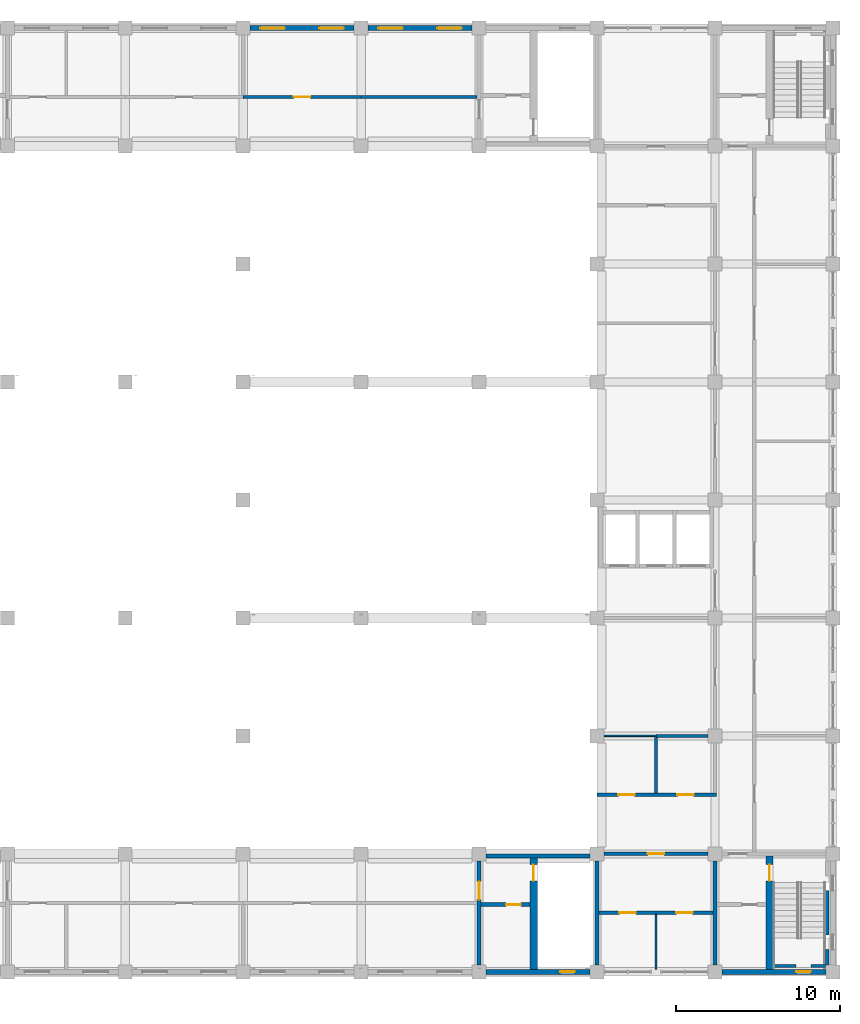
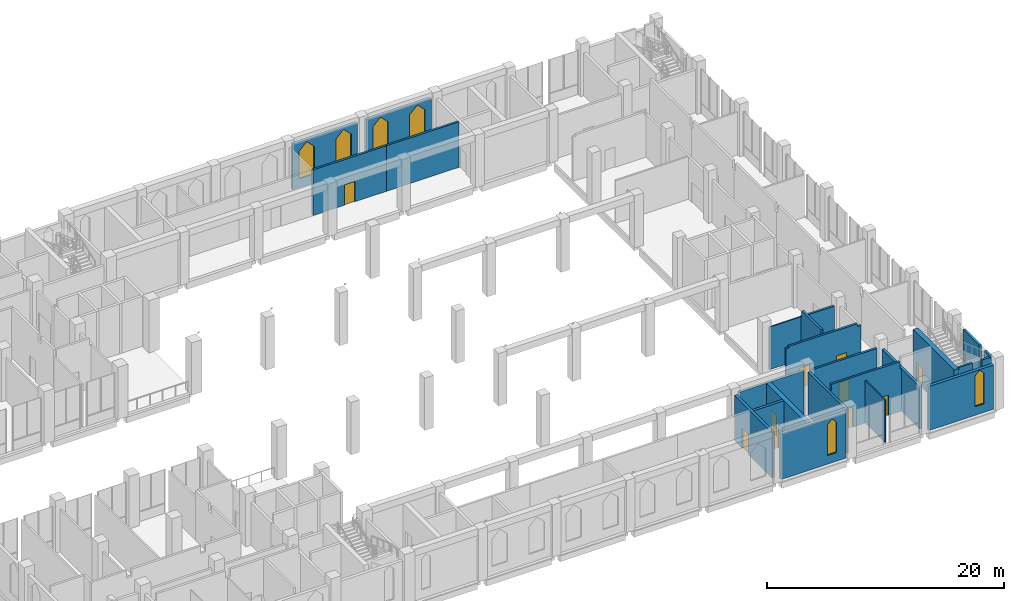
# One storey, part 33 of 48: 24 walls, 10 doors, 6 windows, 16 openings.
"""IFC4 building model written with IfcOpenShell, lengths in metres."""

from ifc_helpers import new_model, si_unit, direction, frame, frame_2d, origin, place, context, subcontext, project, spatial, polyline, rectangle, outline, extrude, material, layer, layer_set, type_object, element, fill, save


model = new_model("IFC4")

# Units and contexts
model_context = context("Model", 3, precision=1e-05, world=origin(), true_north=direction((0.0, 1.0)))
body_context = subcontext(model_context, "Body", "Model", "MODEL_VIEW")
ifc_project = project(units=[si_unit("LENGTHUNIT", "METRE"), si_unit("AREAUNIT", "SQUARE_METRE"), si_unit("VOLUMEUNIT", "CUBIC_METRE"), si_unit("PLANEANGLEUNIT", "RADIAN"), si_unit("MASSUNIT", "GRAM", prefix="KILO")], contexts=[model_context])

# Site, building, storey
site_placement = place(None, origin())
site = spatial("IfcSite", under=ifc_project, at=site_placement, CompositionType="ELEMENT")
building_placement = place(site_placement, origin())
building = spatial("IfcBuilding", under=site, at=building_placement, Name="Silangan Lancet Faculty of Sciences", CompositionType="ELEMENT")
storey_placement = place(building_placement, frame((0.0, 0.0, 6.0)))
storey = spatial("IfcBuildingStorey", under=building, at=storey_placement, Name="L01", CompositionType="ELEMENT", Elevation=6.0)

# Wall, opening, window
ifc_material_1 = material(Name="Concrete C40/50 precast", Category="concrete")
ifc_layer_1 = layer(ifc_material_1, 0.300048828125)
ifc_layer_set_1 = layer_set([ifc_layer_1], Name="Concrete C40/50 precast")
wall_type_1 = type_object("IfcWallType", Name="EW2 Turret enclosure wall", PredefinedType="STANDARD", material=ifc_layer_set_1)
wall_1_placement = place(storey_placement, frame((65.22509765625, 0.0, 0.0), z_axis=(0.0, 0.0, 1.0), x_axis=(1.0, 0.0, 0.0)))
wall_1 = element("IfcWall", 1, at=wall_1_placement, inside=storey, type_object=wall_type_1, Name="EW-L01-S-SAB-05", PredefinedType="STANDARD", context=body_context, shape_type="SweptSolid", body=[
    extrude(rectangle(XDim=6.349853515625, YDim=0.300048828125, at=frame_2d((3.1748046875, 0.0))), origin(), (0.0, 0.0, 1.0), 4.699951171875),
])
opening_1_placement = place(wall_1_placement, frame((4.52490234375, 0.0, 0.89990234375)))
opening_1 = element("IfcOpeningElement", 2, at=opening_1_placement, cuts=wall_1, Name="Opening W5", PredefinedType="OPENING", context=body_context, shape_type="SweptSolid", body=[
    extrude(outline(polyline([(0.0, 0.0), (0.89990234375, 0.0), (0.89990234375, 3.150146484375), (0.449951171875, 3.60009765625), (0.0, 3.150146484375), (0.0, 0.0)])), frame((0.0, 0.159912109375, 0.0), z_axis=(0.0, -1.0, 0.0), x_axis=(1.0, 0.0, 0.0)), (0.0, 0.0, 1.0), 0.320068359375),
])
ifc_material_2 = material(Name="Aluminium frame, laminated double glazing", Category="aluminium")
window_type_1 = type_object("IfcWindowType", Name="W5 Lancet window 900 x 3600", PartitioningType="SINGLE_PANEL", PredefinedType="WINDOW", material=ifc_material_2)
window_1_placement = place(opening_1_placement, origin())
window_1 = element("IfcWindow", 3, at=window_1_placement, inside=storey, type_object=window_type_1, Name="WIN-L01-S-SAB-05b", OverallHeight=3.60009765625, OverallWidth=0.89990234375, PartitioningType="SINGLE_PANEL", PredefinedType="WINDOW", context=body_context, shape_type="SweptSolid", body=[
    extrude(outline(polyline([(0.0, 0.0), (0.89990234375, 0.0), (0.89990234375, 3.150146484375), (0.449951171875, 3.60009765625), (0.0, 3.150146484375), (0.0, 0.0)])), frame((0.0, 0.030029296875, 0.0), z_axis=(0.0, -1.0, 0.0), x_axis=(1.0, 0.0, 0.0)), (0.0, 0.0, 1.0), 0.06005859375),
])
fill(opening_1, window_1)

wall_2_placement = place(storey_placement, frame((79.625, 0.0, 0.0), z_axis=(0.0, 0.0, 1.0), x_axis=(1.0, 0.0, 0.0)))
wall_2 = element("IfcWall", 4, at=wall_2_placement, inside=storey, type_object=wall_type_1, Name="EW-L01-S-EB-01", PredefinedType="STANDARD", context=body_context, shape_type="SweptSolid", body=[
    extrude(rectangle(XDim=6.35009765625, YDim=0.300048828125, at=frame_2d((3.175048828125, 0.0))), origin(), (0.0, 0.0, 1.0), 4.550048828125),
])
opening_2_placement = place(wall_2_placement, frame((4.52490234375, 0.0, 0.89990234375)))
opening_2 = element("IfcOpeningElement", 5, at=opening_2_placement, cuts=wall_2, Name="Opening W5", PredefinedType="OPENING", context=body_context, shape_type="SweptSolid", body=[
    extrude(outline(polyline([(0.0, 0.0), (0.89990234375, 0.0), (0.89990234375, 3.150146484375), (0.449951171875, 3.60009765625), (0.0, 3.150146484375), (0.0, 0.0)])), frame((0.0, 0.159912109375, 0.0), z_axis=(0.0, -1.0, 0.0), x_axis=(1.0, 0.0, 0.0)), (0.0, 0.0, 1.0), 0.320068359375),
])
window_2_placement = place(opening_2_placement, origin())
window_2 = element("IfcWindow", 6, at=window_2_placement, inside=storey, type_object=window_type_1, Name="WIN-L01-S-EB-01b", OverallHeight=3.60009765625, OverallWidth=0.89990234375, PartitioningType="SINGLE_PANEL", PredefinedType="WINDOW", context=body_context, shape_type="SweptSolid", body=[
    extrude(outline(polyline([(0.0, 0.0), (0.89990234375, 0.0), (0.89990234375, 3.150146484375), (0.449951171875, 3.60009765625), (0.0, 3.150146484375), (0.0, 0.0)])), frame((0.0, 0.030029296875, 0.0), z_axis=(0.0, -1.0, 0.0), x_axis=(1.0, 0.0, 0.0)), (0.0, 0.0, 1.0), 0.06005859375),
])
fill(opening_2, window_2)

# Wall, openings, windows
ifc_material_3 = material(Name="Concrete C40/50", Category="concrete")
ifc_layer_2 = layer(ifc_material_3, 0.300048828125)
ifc_layer_set_2 = layer_set([ifc_layer_2], Name="Concrete C40/50")
wall_type_2 = type_object("IfcWallType", Name="EW6 Stone-faced base wall", PredefinedType="STANDARD", material=ifc_layer_set_2)
wall_3_placement = place(storey_placement, frame((64.375, 57.60009765625, 0.0), z_axis=(0.0, 0.0, 1.0), x_axis=(-1.0, 0.0, 0.0)))
wall_3 = element("IfcWall", 7, at=wall_3_placement, inside=storey, type_object=wall_type_2, Name="EW-L01-N-NAB-01", PredefinedType="STANDARD", context=body_context, shape_type="SweptSolid", body=[
    extrude(rectangle(XDim=6.35009765625, YDim=0.300048828125, at=frame_2d((3.175048828125, 0.0))), origin(), (0.0, 0.0, 1.0), 4.699951171875),
])
opening_3_placement = place(wall_3_placement, frame((0.625, 0.0, 0.89990234375)))
opening_3 = element("IfcOpeningElement", 8, at=opening_3_placement, cuts=wall_3, Name="Opening W6", PredefinedType="OPENING", context=body_context, shape_type="SweptSolid", body=[
    extrude(outline(polyline([(0.0, 0.0), (1.5, 0.0), (1.5, 2.85009765625), (0.75, 3.60009765625), (0.0, 2.85009765625), (0.0, 0.0)])), frame((0.0, 0.159912109375, 0.0), z_axis=(0.0, -1.0, 0.0), x_axis=(1.0, 0.0, 0.0)), (0.0, 0.0, 1.0), 0.320068359375),
])
opening_4_placement = place(wall_3_placement, frame((4.22509765625, 0.0, 0.89990234375)))
opening_4 = element("IfcOpeningElement", 9, at=opening_4_placement, cuts=wall_3, Name="Opening W6", PredefinedType="OPENING", context=body_context, shape_type="SweptSolid", body=[
    extrude(outline(polyline([(0.0, 0.0), (1.5, 0.0), (1.5, 2.85009765625), (0.75, 3.60009765625), (0.0, 2.85009765625), (0.0, 0.0)])), frame((0.0, 0.159912109375, 0.0), z_axis=(0.0, -1.0, 0.0), x_axis=(1.0, 0.0, 0.0)), (0.0, 0.0, 1.0), 0.320068359375),
])
ifc_material_4 = material(Name="Aluminium frame, laminated double glazing", Category="aluminium")
window_type_2 = type_object("IfcWindowType", Name="W6 Lancet window 1500 x 3600", PartitioningType="SINGLE_PANEL", PredefinedType="WINDOW", material=ifc_material_4)
window_3_placement = place(opening_3_placement, origin())
window_3 = element("IfcWindow", 10, at=window_3_placement, inside=storey, type_object=window_type_2, Name="WIN-L01-N-NAB-01a", OverallHeight=3.60009765625, OverallWidth=1.5, PartitioningType="SINGLE_PANEL", PredefinedType="WINDOW", context=body_context, shape_type="SweptSolid", body=[
    extrude(outline(polyline([(0.0, 0.0), (1.5, 0.0), (1.5, 2.85009765625), (0.75, 3.60009765625), (0.0, 2.85009765625), (0.0, 0.0)])), frame((0.0, 0.030029296875, 0.0), z_axis=(0.0, -1.0, 0.0), x_axis=(1.0, 0.0, 0.0)), (0.0, 0.0, 1.0), 0.06005859375),
])
fill(opening_3, window_3)
window_4_placement = place(opening_4_placement, origin())
window_4 = element("IfcWindow", 11, at=window_4_placement, inside=storey, type_object=window_type_2, Name="WIN-L01-N-NAB-01b", OverallHeight=3.60009765625, OverallWidth=1.5, PartitioningType="SINGLE_PANEL", PredefinedType="WINDOW", context=body_context, shape_type="SweptSolid", body=[
    extrude(outline(polyline([(0.0, 0.0), (1.5, 0.0), (1.5, 2.85009765625), (0.75, 3.60009765625), (0.0, 2.85009765625), (0.0, 0.0)])), frame((0.0, 0.030029296875, 0.0), z_axis=(0.0, -1.0, 0.0), x_axis=(1.0, 0.0, 0.0)), (0.0, 0.0, 1.0), 0.06005859375),
])
fill(opening_4, window_4)

wall_4_placement = place(storey_placement, frame((57.175048828125, 57.60009765625, 0.0), z_axis=(0.0, 0.0, 1.0), x_axis=(-1.0, 0.0, 0.0)))
wall_4 = element("IfcWall", 12, at=wall_4_placement, inside=storey, type_object=wall_type_2, Name="EW-L01-N-NAB-02", PredefinedType="STANDARD", context=body_context, shape_type="SweptSolid", body=[
    extrude(rectangle(XDim=6.35009765625, YDim=0.300048828125, at=frame_2d((3.175048828125, 0.0))), origin(), (0.0, 0.0, 1.0), 4.699951171875),
])
opening_5_placement = place(wall_4_placement, frame((0.625, 0.0, 0.89990234375)))
opening_5 = element("IfcOpeningElement", 13, at=opening_5_placement, cuts=wall_4, Name="Opening W6", PredefinedType="OPENING", context=body_context, shape_type="SweptSolid", body=[
    extrude(outline(polyline([(0.0, 0.0), (1.5, 0.0), (1.5, 2.85009765625), (0.75, 3.60009765625), (0.0, 2.85009765625), (0.0, 0.0)])), frame((0.0, 0.159912109375, 0.0), z_axis=(0.0, -1.0, 0.0), x_axis=(1.0, 0.0, 0.0)), (0.0, 0.0, 1.0), 0.320068359375),
])
opening_6_placement = place(wall_4_placement, frame((4.22509765625, 0.0, 0.89990234375)))
opening_6 = element("IfcOpeningElement", 14, at=opening_6_placement, cuts=wall_4, Name="Opening W6", PredefinedType="OPENING", context=body_context, shape_type="SweptSolid", body=[
    extrude(outline(polyline([(0.0, 0.0), (1.5, 0.0), (1.5, 2.85009765625), (0.75, 3.60009765625), (0.0, 2.85009765625), (0.0, 0.0)])), frame((0.0, 0.159912109375, 0.0), z_axis=(0.0, -1.0, 0.0), x_axis=(1.0, 0.0, 0.0)), (0.0, 0.0, 1.0), 0.320068359375),
])
window_5_placement = place(opening_5_placement, origin())
window_5 = element("IfcWindow", 15, at=window_5_placement, inside=storey, type_object=window_type_2, Name="WIN-L01-N-NAB-02a", OverallHeight=3.60009765625, OverallWidth=1.5, PartitioningType="SINGLE_PANEL", PredefinedType="WINDOW", context=body_context, shape_type="SweptSolid", body=[
    extrude(outline(polyline([(0.0, 0.0), (1.5, 0.0), (1.5, 2.85009765625), (0.75, 3.60009765625), (0.0, 2.85009765625), (0.0, 0.0)])), frame((0.0, 0.030029296875, 0.0), z_axis=(0.0, -1.0, 0.0), x_axis=(1.0, 0.0, 0.0)), (0.0, 0.0, 1.0), 0.06005859375),
])
fill(opening_5, window_5)
window_6_placement = place(opening_6_placement, origin())
window_6 = element("IfcWindow", 16, at=window_6_placement, inside=storey, type_object=window_type_2, Name="WIN-L01-N-NAB-02b", OverallHeight=3.60009765625, OverallWidth=1.5, PartitioningType="SINGLE_PANEL", PredefinedType="WINDOW", context=body_context, shape_type="SweptSolid", body=[
    extrude(outline(polyline([(0.0, 0.0), (1.5, 0.0), (1.5, 2.85009765625), (0.75, 3.60009765625), (0.0, 2.85009765625), (0.0, 0.0)])), frame((0.0, 0.030029296875, 0.0), z_axis=(0.0, -1.0, 0.0), x_axis=(1.0, 0.0, 0.0)), (0.0, 0.0, 1.0), 0.06005859375),
])
fill(opening_6, window_6)

# Wall, openings, doors
ifc_material_5 = material(Name="Hollow block masonry fm 7 MPa", Category="masonry")
ifc_layer_3 = layer(ifc_material_5, 0.199951171875)
ifc_layer_set_3 = layer_set([ifc_layer_3], Name="Hollow block masonry fm 7 MPa")
wall_type_3 = type_object("IfcWallType", Name="Interior wall PW1 Corridor wall CHB 200", PredefinedType="PARTITIONING", material=ifc_layer_set_3)
wall_5_placement = place(storey_placement, frame((72.125, 3.60009765625, 0.0), z_axis=(0.0, 0.0, 1.0), x_axis=(1.0, 0.0, 0.0)))
wall_5 = element("IfcWall", 17, at=wall_5_placement, inside=storey, type_object=wall_type_3, Name="Corridor wall CHB 200", PredefinedType="PARTITIONING", context=body_context, shape_type="SweptSolid", body=[
    extrude(outline(polyline([(0.0, 0.0), (6.949951171875, 0.0), (6.949951171875, 4.39990234375), (6.824951171875, 4.39990234375), (6.824951171875, 5.14990234375), (0.125, 5.14990234375), (0.125, 4.550048828125), (0.0, 4.550048828125), (0.0, 0.0)])), frame((0.0, 0.10009765625, 0.0), z_axis=(0.0, -1.0, 0.0), x_axis=(1.0, 0.0, 0.0)), (0.0, 0.0, 1.0), 0.199951171875),
])
opening_7_placement = place(wall_5_placement, frame((1.237548828125, 0.0, 0.0)))
opening_7 = element("IfcOpeningElement", 18, at=opening_7_placement, cuts=wall_5, Name="Opening L01-037", PredefinedType="OPENING", context=body_context, shape_type="SweptSolid", body=[
    extrude(rectangle(XDim=1.0, YDim=2.10009765625, at=frame_2d((0.5, 1.050048828125))), frame((0.0, 0.10986328125, 0.0), z_axis=(0.0, -1.0, 0.0), x_axis=(1.0, 0.0, 0.0)), (0.0, 0.0, 1.0), 0.219970703125),
])
opening_8_placement = place(wall_5_placement, frame((4.71240234375, 0.0, 0.0)))
opening_8 = element("IfcOpeningElement", 19, at=opening_8_placement, cuts=wall_5, Name="Opening L01-038", PredefinedType="OPENING", context=body_context, shape_type="SweptSolid", body=[
    extrude(rectangle(XDim=1.0, YDim=2.10009765625, at=frame_2d((0.5, 1.050048828125))), frame((0.0, 0.10986328125, 0.0), z_axis=(0.0, -1.0, 0.0), x_axis=(1.0, 0.0, 0.0)), (0.0, 0.0, 1.0), 0.219970703125),
])
ifc_material_6 = material(Name="Steel fire door set", Category="steel")
door_type_1 = type_object("IfcDoorType", Name="Door D1 Single leaf fire door 1000 x 2100", OperationType="SINGLE_SWING_LEFT", PredefinedType="DOOR", material=ifc_material_6)
door_1_placement = place(opening_7_placement, frame((1.0, 0.0, 0.0), z_axis=(0.0, 0.0, 1.0), x_axis=(-1.0, 0.0, 0.0)))
door_1 = element("IfcDoor", 20, at=door_1_placement, inside=storey, type_object=door_type_1, Name="Single leaf fire door 1000 x 2100", OperationType="SINGLE_SWING_RIGHT", OverallHeight=2.10009765625, OverallWidth=1.0, PredefinedType="DOOR", context=body_context, shape_type="SweptSolid", body=[
    extrude(rectangle(XDim=1.0, YDim=2.10009765625, at=frame_2d((0.5, 1.050048828125))), frame((0.0, 0.025146484375, 0.0), z_axis=(0.0, -1.0, 0.0), x_axis=(1.0, 0.0, 0.0)), (0.0, 0.0, 1.0), 0.050048828125),
])
fill(opening_7, door_1)
door_2_placement = place(opening_8_placement, frame((1.0, 0.0, 0.0), z_axis=(0.0, 0.0, 1.0), x_axis=(-1.0, 0.0, 0.0)))
door_2 = element("IfcDoor", 21, at=door_2_placement, inside=storey, type_object=door_type_1, Name="Single leaf fire door 1000 x 2100", OperationType="SINGLE_SWING_LEFT", OverallHeight=2.10009765625, OverallWidth=1.0, PredefinedType="DOOR", context=body_context, shape_type="SweptSolid", body=[
    extrude(rectangle(XDim=1.0, YDim=2.10009765625, at=frame_2d((0.5, 1.050048828125))), frame((0.0, 0.025146484375, 0.0), z_axis=(0.0, -1.0, 0.0), x_axis=(1.0, 0.0, 0.0)), (0.0, 0.0, 1.0), 0.050048828125),
])
fill(opening_8, door_2)

# Wall, opening, door
wall_6_placement = place(storey_placement, frame((72.425048828125, 7.199951171875, 0.0), z_axis=(0.0, 0.0, 1.0), x_axis=(1.0, 0.0, 0.0)))
wall_6 = element("IfcWall", 22, at=wall_6_placement, inside=storey, type_object=wall_type_3, Name="Corridor wall CHB 200", PredefinedType="PARTITIONING", context=body_context, shape_type="SweptSolid", body=[
    extrude(rectangle(XDim=6.349853515625, YDim=0.199951171875, at=frame_2d((3.1748046875, 0.0))), origin(), (0.0, 0.0, 1.0), 4.39990234375),
])
opening_9_placement = place(wall_6_placement, frame((2.675048828125, 0.0, 0.0)))
opening_9 = element("IfcOpeningElement", 23, at=opening_9_placement, cuts=wall_6, Name="Opening L01-008", PredefinedType="OPENING", context=body_context, shape_type="SweptSolid", body=[
    extrude(rectangle(XDim=1.0, YDim=2.10009765625, at=frame_2d((0.5, 1.050048828125))), frame((0.0, 0.10986328125, 0.0), z_axis=(0.0, -1.0, 0.0), x_axis=(1.0, 0.0, 0.0)), (0.0, 0.0, 1.0), 0.219970703125),
])
door_3_placement = place(opening_9_placement, frame((1.0, 0.0, 0.0), z_axis=(0.0, 0.0, 1.0), x_axis=(-1.0, 0.0, 0.0)))
door_3 = element("IfcDoor", 24, at=door_3_placement, inside=storey, type_object=door_type_1, Name="Single leaf fire door 1000 x 2100", OperationType="SINGLE_SWING_LEFT", OverallHeight=2.10009765625, OverallWidth=1.0, PredefinedType="DOOR", context=body_context, shape_type="SweptSolid", body=[
    extrude(rectangle(XDim=1.0, YDim=2.10009765625, at=frame_2d((0.5, 1.050048828125))), frame((0.0, 0.025146484375, 0.0), z_axis=(0.0, -1.0, 0.0), x_axis=(1.0, 0.0, 0.0)), (0.0, 0.0, 1.0), 0.050048828125),
])
fill(opening_9, door_3)

# Wall, openings, doors
wall_7_placement = place(storey_placement, frame((72.0, 10.800048828125, 0.0), z_axis=(0.0, 0.0, 1.0), x_axis=(1.0, 0.0, 0.0)))
wall_7 = element("IfcWall", 25, at=wall_7_placement, inside=storey, type_object=wall_type_3, Name="Corridor wall CHB 200", PredefinedType="PARTITIONING", context=body_context, shape_type="SweptSolid", body=[
    extrude(outline(polyline([(0.0, 0.0), (7.300048828125, 0.0), (7.300048828125, 4.39990234375), (6.949951171875, 4.39990234375), (6.949951171875, 4.699951171875), (0.25, 4.699951171875), (0.25, 4.550048828125), (0.0, 4.550048828125), (0.0, 0.0)])), frame((0.0, 0.10009765625, 0.0), z_axis=(0.0, -1.0, 0.0), x_axis=(1.0, 0.0, 0.0)), (0.0, 0.0, 1.0), 0.199951171875),
])
opening_10_placement = place(wall_7_placement, frame((1.300048828125, 0.0, 0.0)))
opening_10 = element("IfcOpeningElement", 26, at=opening_10_placement, cuts=wall_7, Name="Opening L01-039", PredefinedType="OPENING", context=body_context, shape_type="SweptSolid", body=[
    extrude(rectangle(XDim=1.0, YDim=2.10009765625, at=frame_2d((0.5, 1.050048828125))), frame((0.0, 0.10986328125, 0.0), z_axis=(0.0, -1.0, 0.0), x_axis=(1.0, 0.0, 0.0)), (0.0, 0.0, 1.0), 0.219970703125),
])
opening_11_placement = place(wall_7_placement, frame((4.89990234375, 0.0, 0.0)))
opening_11 = element("IfcOpeningElement", 27, at=opening_11_placement, cuts=wall_7, Name="Opening L01-040", PredefinedType="OPENING", context=body_context, shape_type="SweptSolid", body=[
    extrude(rectangle(XDim=1.0, YDim=2.10009765625, at=frame_2d((0.5, 1.050048828125))), frame((0.0, 0.10986328125, 0.0), z_axis=(0.0, -1.0, 0.0), x_axis=(1.0, 0.0, 0.0)), (0.0, 0.0, 1.0), 0.219970703125),
])
door_4_placement = place(opening_10_placement, origin())
door_4 = element("IfcDoor", 28, at=door_4_placement, inside=storey, type_object=door_type_1, Name="Single leaf fire door 1000 x 2100", OperationType="SINGLE_SWING_LEFT", OverallHeight=2.10009765625, OverallWidth=1.0, PredefinedType="DOOR", context=body_context, shape_type="SweptSolid", body=[
    extrude(rectangle(XDim=1.0, YDim=2.10009765625, at=frame_2d((0.5, 1.050048828125))), frame((0.0, 0.02490234375, 0.0), z_axis=(0.0, -1.0, 0.0), x_axis=(1.0, 0.0, 0.0)), (0.0, 0.0, 1.0), 0.050048828125),
])
fill(opening_10, door_4)
door_5_placement = place(opening_11_placement, origin())
door_5 = element("IfcDoor", 29, at=door_5_placement, inside=storey, type_object=door_type_1, Name="Single leaf fire door 1000 x 2100", OperationType="SINGLE_SWING_RIGHT", OverallHeight=2.10009765625, OverallWidth=1.0, PredefinedType="DOOR", context=body_context, shape_type="SweptSolid", body=[
    extrude(rectangle(XDim=1.0, YDim=2.10009765625, at=frame_2d((0.5, 1.050048828125))), frame((0.0, 0.02490234375, 0.0), z_axis=(0.0, -1.0, 0.0), x_axis=(1.0, 0.0, 0.0)), (0.0, 0.0, 1.0), 0.050048828125),
])
fill(opening_11, door_5)

# Wall, opening, door
wall_8_placement = place(storey_placement, frame((50.39990234375, 53.39990234375, 0.0), z_axis=(0.0, 0.0, 1.0), x_axis=(1.0, 0.0, 0.0)))
wall_8 = element("IfcWall", 30, at=wall_8_placement, inside=storey, type_object=wall_type_3, Name="Corridor wall CHB 200", PredefinedType="PARTITIONING", context=body_context, shape_type="SweptSolid", body=[
    extrude(rectangle(XDim=7.2001953125, YDim=0.199951171875, at=frame_2d((3.60009765625, 0.0))), origin(), (0.0, 0.0, 1.0), 4.699951171875),
])
opening_12_placement = place(wall_8_placement, frame((3.10009765625, 0.0, 0.0)))
opening_12 = element("IfcOpeningElement", 31, at=opening_12_placement, cuts=wall_8, Name="Opening L01-036", PredefinedType="OPENING", context=body_context, shape_type="SweptSolid", body=[
    extrude(rectangle(XDim=1.0, YDim=2.10009765625, at=frame_2d((0.5, 1.050048828125))), frame((0.0, 0.10986328125, 0.0), z_axis=(0.0, -1.0, 0.0), x_axis=(1.0, 0.0, 0.0)), (0.0, 0.0, 1.0), 0.219970703125),
])
door_6_placement = place(opening_12_placement, origin())
door_6 = element("IfcDoor", 32, at=door_6_placement, inside=storey, type_object=door_type_1, Name="Single leaf fire door 1000 x 2100", OperationType="SINGLE_SWING_RIGHT", OverallHeight=2.10009765625, OverallWidth=1.0, PredefinedType="DOOR", context=body_context, shape_type="SweptSolid", body=[
    extrude(rectangle(XDim=1.0, YDim=2.10009765625, at=frame_2d((0.5, 1.050048828125))), frame((0.0, 0.02490234375, 0.0), z_axis=(0.0, -1.0, 0.0), x_axis=(1.0, 0.0, 0.0)), (0.0, 0.0, 1.0), 0.050048828125),
])
fill(opening_12, door_6)

# Walls
wall_9_placement = place(storey_placement, frame((57.60009765625, 53.39990234375, 0.0), z_axis=(0.0, 0.0, 1.0), x_axis=(1.0, 0.0, 0.0)))
element("IfcWall", 33, at=wall_9_placement, inside=storey, type_object=wall_type_3, Name="Corridor wall CHB 200", PredefinedType="PARTITIONING", context=body_context, shape_type="SweptSolid", body=[
    extrude(rectangle(XDim=7.074951171875, YDim=0.199951171875, at=frame_2d((3.53759765625, 0.0))), origin(), (0.0, 0.0, 1.0), 4.699951171875),
])
ifc_material_7 = material(Name="Hollow block masonry fm 7 MPa", Category="masonry")
ifc_layer_4 = layer(ifc_material_7, 0.199951171875)
ifc_layer_set_4 = layer_set([ifc_layer_4], Name="Hollow block masonry fm 7 MPa")
wall_type_4 = type_object("IfcWallType", Name="Interior wall PW4 Laboratory separation CHB 200", PredefinedType="PARTITIONING", material=ifc_layer_set_4)
wall_10_placement = place(storey_placement, frame((75.60009765625, 14.39990234375, 0.0), z_axis=(0.0, 0.0, 1.0), x_axis=(1.0, 0.0, 0.0)))
element("IfcWall", 34, at=wall_10_placement, inside=storey, type_object=wall_type_4, Name="Laboratory separation CHB 200", PredefinedType="PARTITIONING", context=body_context, shape_type="SweptSolid", body=[
    extrude(rectangle(XDim=3.1748046875, YDim=0.199951171875, at=frame_2d((1.58740234375, 0.0))), origin(), (0.0, 0.0, 1.0), 4.39990234375),
])
wall_11_placement = place(storey_placement, frame((75.60009765625, 10.89990234375, 0.0), z_axis=(0.0, 0.0, 1.0), x_axis=(0.0, 1.0, 0.0)))
element("IfcWall", 35, at=wall_11_placement, inside=storey, type_object=wall_type_4, Name="Laboratory separation CHB 200", PredefinedType="PARTITIONING", context=body_context, shape_type="SweptSolid", body=[
    extrude(outline(polyline([(0.0, 0.0), (3.400146484375, 0.0), (3.400146484375, 4.39990234375), (3.25, 4.39990234375), (3.25, 5.14990234375), (0.0, 5.14990234375), (0.0, 0.0)])), frame((0.0, 0.10009765625, 0.0), z_axis=(0.0, -1.0, 0.0), x_axis=(1.0, 0.0, 0.0)), (0.0, 0.0, 1.0), 0.199951171875),
])
ifc_material_8 = material(Name="Hollow block masonry fm 7 MPa", Category="masonry")
ifc_layer_5 = layer(ifc_material_8, 0.10009765625)
ifc_layer_set_5 = layer_set([ifc_layer_5], Name="Hollow block masonry fm 7 MPa")
wall_type_5 = type_object("IfcWallType", Name="Interior wall PW8 WC partition CHB 100", PredefinedType="PARTITIONING", material=ifc_layer_set_5)
wall_12_placement = place(storey_placement, frame((72.425048828125, 14.39990234375, 0.0), z_axis=(0.0, 0.0, 1.0), x_axis=(1.0, 0.0, 0.0)))
element("IfcWall", 36, at=wall_12_placement, inside=storey, type_object=wall_type_5, Name="WC partition CHB 100", PredefinedType="PARTITIONING", context=body_context, shape_type="SweptSolid", body=[
    extrude(rectangle(XDim=3.175048828125, YDim=0.10009765625, at=frame_2d((1.58740234375, 0.0))), origin(), (0.0, 0.0, 1.0), 4.39990234375),
])
wall_13_placement = place(storey_placement, frame((75.60009765625, 0.14990234375, 0.0), z_axis=(0.0, 0.0, 1.0), x_axis=(0.0, 1.0, 0.0)))
element("IfcWall", 37, at=wall_13_placement, inside=storey, type_object=wall_type_5, Name="WC partition CHB 100", PredefinedType="PARTITIONING", context=body_context, shape_type="SweptSolid", body=[
    extrude(rectangle(XDim=3.35009765625, YDim=0.10009765625, at=frame_2d((1.675048828125, 0.0))), origin(), (0.0, 0.0, 1.0), 4.39990234375),
])

# Wall, opening, door
ifc_material_9 = material(Name="Concrete C40/50", Category="concrete")
ifc_layer_6 = layer(ifc_material_9, 0.449951171875)
ifc_layer_set_6 = layer_set([ifc_layer_6], Name="Concrete C40/50")
wall_type_6 = type_object("IfcWallType", Name="TURRET CORE WALL RC 450", PredefinedType="SHEAR", material=ifc_layer_set_6)
wall_14_placement = place(storey_placement, frame((82.52490234375, 0.14990234375, 0.0), z_axis=(0.0, 0.0, 1.0), x_axis=(0.0, 1.0, 0.0)))
wall_14 = element("IfcWall", 38, at=wall_14_placement, inside=storey, type_object=wall_type_6, Name="WALL-L01-EB-A-WELL", PredefinedType="SHEAR", context=body_context, shape_type="SweptSolid", body=[
    extrude(rectangle(XDim=6.925048828125, YDim=0.449951171875, at=frame_2d((3.46240234375, 0.0))), origin(), (0.0, 0.0, 1.0), 5.14990234375),
])
opening_13_placement = place(wall_14_placement, frame((5.39990234375, 0.0, 0.0)))
opening_13 = element("IfcOpeningElement", 39, at=opening_13_placement, cuts=wall_14, Name="Opening L01-701", PredefinedType="OPENING", context=body_context, shape_type="SweptSolid", body=[
    extrude(rectangle(XDim=1.0, YDim=2.10009765625, at=frame_2d((0.5, 1.050048828125))), frame((0.0, 0.23486328125, 0.0), z_axis=(0.0, -1.0, 0.0), x_axis=(1.0, 0.0, 0.0)), (0.0, 0.0, 1.0), 0.469970703125),
])
ifc_material_10 = material(Name="Steel fire door set", Category="steel")
door_type_2 = type_object("IfcDoorType", Name="D71 Stair enclosure door 1000x2100", OperationType="SINGLE_SWING_LEFT", PredefinedType="DOOR", material=ifc_material_10)
door_7_placement = place(opening_13_placement, frame((1.0, 0.0, 0.0), z_axis=(0.0, 0.0, 1.0), x_axis=(-1.0, 0.0, 0.0)))
door_7 = element("IfcDoor", 40, at=door_7_placement, inside=storey, type_object=door_type_2, Name="Stair enclosure door EB-A L01", OperationType="SINGLE_SWING_LEFT", OverallHeight=2.10009765625, OverallWidth=1.0, PredefinedType="DOOR", context=body_context, shape_type="SweptSolid", body=[
    extrude(rectangle(XDim=1.0, YDim=2.10009765625, at=frame_2d((0.5, 1.050048828125))), frame((0.0, 0.025146484375, 0.0), z_axis=(0.0, -1.0, 0.0), x_axis=(1.0, 0.0, 0.0)), (0.0, 0.0, 1.0), 0.050048828125),
])
fill(opening_13, door_7)

wall_15_placement = place(storey_placement, frame((68.125, 0.14990234375, 0.0), z_axis=(0.0, 0.0, 1.0), x_axis=(0.0, 1.0, 0.0)))
wall_15 = element("IfcWall", 41, at=wall_15_placement, inside=storey, type_object=wall_type_6, Name="WALL-L01-SAB-B-WELL", PredefinedType="SHEAR", context=body_context, shape_type="SweptSolid", body=[
    extrude(rectangle(XDim=6.800048828125, YDim=0.449951171875, at=frame_2d((3.39990234375, 0.0))), origin(), (0.0, 0.0, 1.0), 4.699951171875),
])
opening_14_placement = place(wall_15_placement, frame((5.39990234375, 0.0, 0.0)))
opening_14 = element("IfcOpeningElement", 42, at=opening_14_placement, cuts=wall_15, Name="Opening L01-722", PredefinedType="OPENING", context=body_context, shape_type="SweptSolid", body=[
    extrude(rectangle(XDim=1.0, YDim=2.10009765625, at=frame_2d((0.5, 1.050048828125))), frame((0.0, 0.23486328125, 0.0), z_axis=(0.0, -1.0, 0.0), x_axis=(1.0, 0.0, 0.0)), (0.0, 0.0, 1.0), 0.469970703125),
])
door_8_placement = place(opening_14_placement, frame((1.0, 0.0, 0.0), z_axis=(0.0, 0.0, 1.0), x_axis=(-1.0, 0.0, 0.0)))
door_8 = element("IfcDoor", 43, at=door_8_placement, inside=storey, type_object=door_type_2, Name="Stair enclosure door SAB-B L01", OperationType="SINGLE_SWING_LEFT", OverallHeight=2.10009765625, OverallWidth=1.0, PredefinedType="DOOR", context=body_context, shape_type="SweptSolid", body=[
    extrude(rectangle(XDim=1.0, YDim=2.10009765625, at=frame_2d((0.5, 1.050048828125))), frame((0.0, 0.025146484375, 0.0), z_axis=(0.0, -1.0, 0.0), x_axis=(1.0, 0.0, 0.0)), (0.0, 0.0, 1.0), 0.050048828125),
])
fill(opening_14, door_8)

# Walls
ifc_material_11 = material(Name="Concrete C40/50", Category="concrete")
ifc_layer_7 = layer(ifc_material_11, 0.199951171875)
ifc_layer_set_7 = layer_set([ifc_layer_7], Name="Concrete C40/50")
wall_type_7 = type_object("IfcWallType", Name="TURRET LINING WALL RC 200", PredefinedType="SHEAR", material=ifc_layer_set_7)
wall_16_placement = place(storey_placement, frame((86.050048828125, 0.425048828125, -0.25), z_axis=(0.0, 0.0, 1.0), x_axis=(0.0, 1.0, 0.0)))
element("IfcWall", 44, at=wall_16_placement, inside=storey, type_object=wall_type_7, Name="WALL-L01-EB-A-WL", PredefinedType="SHEAR", context=body_context, shape_type="SweptSolid", body=[
    extrude(rectangle(XDim=0.925048828125, YDim=0.199951171875, at=frame_2d((0.46240234375, 0.0))), origin(), (0.0, 0.0, 1.0), 5.39990234375),
])
wall_17_placement = place(storey_placement, frame((86.050048828125, 2.25, -0.25), z_axis=(0.0, 0.0, 1.0), x_axis=(0.0, 1.0, 0.0)))
element("IfcWall", 45, at=wall_17_placement, inside=storey, type_object=wall_type_7, Name="WALL-L01-EB-A-WL-2", PredefinedType="SHEAR", context=body_context, shape_type="SweptSolid", body=[
    extrude(rectangle(XDim=2.699951171875, YDim=0.199951171875, at=frame_2d((1.35009765625, 0.0))), origin(), (0.0, 0.0, 1.0), 5.39990234375),
])
wall_18_placement = place(storey_placement, frame((82.75, 0.35009765625, -0.25), z_axis=(0.0, 0.0, 1.0), x_axis=(1.0, 0.0, 0.0)))
element("IfcWall", 46, at=wall_18_placement, inside=storey, type_object=wall_type_7, Name="WALL-L01-EB-A-WLD", PredefinedType="SHEAR", context=body_context, shape_type="SweptSolid", body=[
    extrude(rectangle(XDim=1.39990234375, YDim=0.199951171875, at=frame_2d((0.699951171875, 0.0))), origin(), (0.0, 0.0, 1.0), 5.39990234375),
])
wall_19_placement = place(storey_placement, frame((85.050048828125, 0.35009765625, -0.25), z_axis=(0.0, 0.0, 1.0), x_axis=(1.0, 0.0, 0.0)))
element("IfcWall", 47, at=wall_19_placement, inside=storey, type_object=wall_type_7, Name="WALL-L01-EB-A-WLD-2", PredefinedType="SHEAR", context=body_context, shape_type="SweptSolid", body=[
    extrude(rectangle(XDim=0.89990234375, YDim=0.199951171875, at=frame_2d((0.449951171875, 0.0))), origin(), (0.0, 0.0, 1.0), 5.39990234375),
])
ifc_material_12 = material(Name="Concrete C40/50", Category="concrete")
ifc_layer_8 = layer(ifc_material_12, 0.25)
ifc_layer_set_8 = layer_set([ifc_layer_8], Name="Concrete C40/50")
wall_type_8 = type_object("IfcWallType", Name="TURRET WALL RC 250", PredefinedType="SHEAR", material=ifc_layer_set_8)
wall_20_placement = place(storey_placement, frame((79.199951171875, 0.425048828125, 0.0), z_axis=(0.0, 0.0, 1.0), x_axis=(0.0, 1.0, 0.0)))
element("IfcWall", 48, at=wall_20_placement, inside=storey, type_object=wall_type_8, Name="WALL-L01-EB-A-O", PredefinedType="SHEAR", context=body_context, shape_type="SweptSolid", body=[
    extrude(rectangle(XDim=6.349853515625, YDim=0.25, at=frame_2d((3.1748046875, 0.0))), origin(), (0.0, 0.0, 1.0), 4.39990234375),
])
wall_21_placement = place(storey_placement, frame((65.22509765625, 7.074951171875, 0.0), z_axis=(0.0, 0.0, 1.0), x_axis=(1.0, 0.0, 0.0)))
element("IfcWall", 49, at=wall_21_placement, inside=storey, type_object=wall_type_8, Name="WALL-L01-SAB-B-V", PredefinedType="SHEAR", context=body_context, shape_type="SweptSolid", body=[
    extrude(rectangle(XDim=6.349853515625, YDim=0.25, at=frame_2d((3.1748046875, 0.0))), origin(), (0.0, 0.0, 1.0), 4.699951171875),
])
wall_22_placement = place(storey_placement, frame((72.0, 0.425048828125, 0.0), z_axis=(0.0, 0.0, 1.0), x_axis=(0.0, 1.0, 0.0)))
element("IfcWall", 50, at=wall_22_placement, inside=storey, type_object=wall_type_8, Name="WALL-L01-SAB-B-W", PredefinedType="SHEAR", context=body_context, shape_type="SweptSolid", body=[
    extrude(rectangle(XDim=6.349853515625, YDim=0.25, at=frame_2d((3.1748046875, 0.0))), origin(), (0.0, 0.0, 1.0), 4.550048828125),
])

# Wall, opening, door
wall_23_placement = place(storey_placement, frame((64.800048828125, 0.425048828125, 0.0), z_axis=(0.0, 0.0, 1.0), x_axis=(0.0, 1.0, 0.0)))
wall_23 = element("IfcWall", 51, at=wall_23_placement, inside=storey, type_object=wall_type_8, Name="WALL-L01-SAB-B-O", PredefinedType="SHEAR", context=body_context, shape_type="SweptSolid", body=[
    extrude(rectangle(XDim=6.349853515625, YDim=0.25, at=frame_2d((3.1748046875, 0.0))), origin(), (0.0, 0.0, 1.0), 4.699951171875),
])
opening_15_placement = place(wall_23_placement, frame((3.97509765625, 0.0, 0.0)))
opening_15 = element("IfcOpeningElement", 52, at=opening_15_placement, cuts=wall_23, Name="Opening L01-723", PredefinedType="OPENING", context=body_context, shape_type="SweptSolid", body=[
    extrude(rectangle(XDim=1.10009765625, YDim=2.10009765625, at=frame_2d((0.550048828125, 1.050048828125))), frame((0.0, 0.135009765625, 0.0), z_axis=(0.0, -1.0, 0.0), x_axis=(1.0, 0.0, 0.0)), (0.0, 0.0, 1.0), 0.27001953125),
])
ifc_material_13 = material(Name="Steel fire door set", Category="steel")
door_type_3 = type_object("IfcDoorType", Name="D70 Stair vestibule door 1100x2100", OperationType="SINGLE_SWING_LEFT", PredefinedType="DOOR", material=ifc_material_13)
door_9_placement = place(opening_15_placement, frame((1.10009765625, 0.0, 0.0), z_axis=(0.0, 0.0, 1.0), x_axis=(-1.0, 0.0, 0.0)))
door_9 = element("IfcDoor", 53, at=door_9_placement, inside=storey, type_object=door_type_3, Name="Stair vestibule door SAB-B L01", OperationType="SINGLE_SWING_LEFT", OverallHeight=2.10009765625, OverallWidth=1.10009765625, PredefinedType="DOOR", context=body_context, shape_type="SweptSolid", body=[
    extrude(rectangle(XDim=1.10009765625, YDim=2.10009765625, at=frame_2d((0.550048828125, 1.050048828125))), frame((0.0, 0.025146484375, 0.0), z_axis=(0.0, -1.0, 0.0), x_axis=(1.0, 0.0, 0.0)), (0.0, 0.0, 1.0), 0.050048828125),
])
fill(opening_15, door_9)

wall_24_placement = place(storey_placement, frame((64.925048828125, 4.10009765625, 0.0), z_axis=(0.0, 0.0, 1.0), x_axis=(1.0, 0.0, 0.0)))
wall_24 = element("IfcWall", 54, at=wall_24_placement, inside=storey, type_object=wall_type_8, Name="WALL-L01-SAB-B-RISER", PredefinedType="SHEAR", context=body_context, shape_type="SweptSolid", body=[
    extrude(rectangle(XDim=2.974853515625, YDim=0.25, at=frame_2d((1.4873046875, 0.0))), origin(), (0.0, 0.0, 1.0), 4.699951171875),
])
opening_16_placement = place(wall_24_placement, frame((1.52490234375, 0.0, 0.0)))
opening_16 = element("IfcOpeningElement", 55, at=opening_16_placement, cuts=wall_24, Name="Opening L01-724", PredefinedType="OPENING", context=body_context, shape_type="SweptSolid", body=[
    extrude(rectangle(XDim=0.89990234375, YDim=2.10009765625, at=frame_2d((0.449951171875, 1.050048828125))), frame((0.0, 0.135009765625, 0.0), z_axis=(0.0, -1.0, 0.0), x_axis=(1.0, 0.0, 0.0)), (0.0, 0.0, 1.0), 0.27001953125),
])
ifc_material_14 = material(Name="Steel fire door set", Category="steel")
door_type_4 = type_object("IfcDoorType", Name="D72 Riser access door 900x2100", OperationType="SINGLE_SWING_LEFT", PredefinedType="DOOR", material=ifc_material_14)
door_10_placement = place(opening_16_placement, frame((0.89990234375, 0.0, 0.0), z_axis=(0.0, 0.0, 1.0), x_axis=(-1.0, 0.0, 0.0)))
door_10 = element("IfcDoor", 56, at=door_10_placement, inside=storey, type_object=door_type_4, Name="Riser access door SAB-B L01", OperationType="SINGLE_SWING_RIGHT", OverallHeight=2.10009765625, OverallWidth=0.89990234375, PredefinedType="DOOR", context=body_context, shape_type="SweptSolid", body=[
    extrude(rectangle(XDim=0.89990234375, YDim=2.10009765625, at=frame_2d((0.449951171875, 1.050048828125))), frame((0.0, 0.025146484375, 0.0), z_axis=(0.0, -1.0, 0.0), x_axis=(1.0, 0.0, 0.0)), (0.0, 0.0, 1.0), 0.050048828125),
])
fill(opening_16, door_10)

save(model, "model.ifc")
